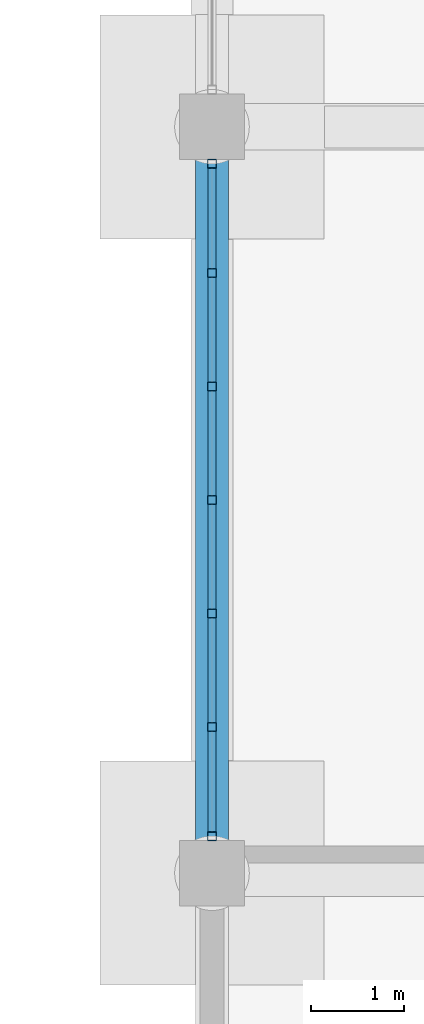
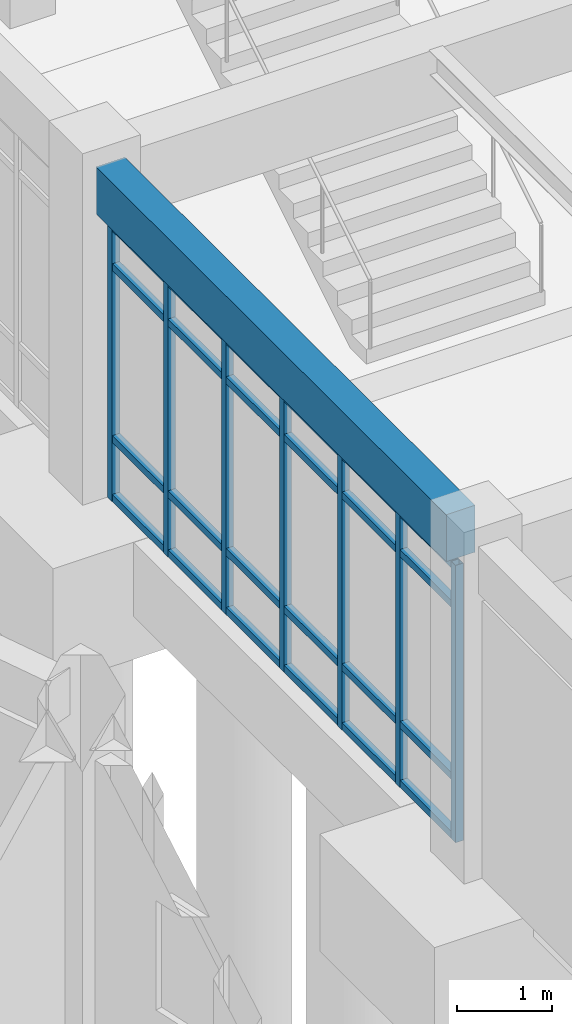
# One storey, part 93 of 153: 31 members, 1 beam, 1 element without a shape of its own.
"""IFC4 building model written with IfcOpenShell, lengths in metres."""

from ifc_helpers import new_model, si_unit, direction, frame, origin, origin_2d, place, context, subcontext, project, spatial, rectangle, hollow_rectangle, extrude, material, material_profile, profile_set, type_object, element, aggregate, save


model = new_model("IFC4")

# Units and contexts
model_context = context("Model", 3, precision=1e-05, world=origin(), true_north=direction((0.0, 1.0)))
body_context = subcontext(model_context, "Body", "Model", "MODEL_VIEW")
ifc_project = project(units=[si_unit("LENGTHUNIT", "METRE"), si_unit("AREAUNIT", "SQUARE_METRE"), si_unit("VOLUMEUNIT", "CUBIC_METRE"), si_unit("PLANEANGLEUNIT", "RADIAN"), si_unit("MASSUNIT", "GRAM", prefix="KILO")], contexts=[model_context])

# Site, building, storey
site_placement = place(None, origin())
site = spatial("IfcSite", under=ifc_project, at=site_placement, CompositionType="ELEMENT")
building_placement = place(site_placement, origin())
building = spatial("IfcBuilding", under=site, at=building_placement, Name="Celadon Cloister-Ring School", CompositionType="ELEMENT")
storey_placement = place(building_placement, origin())
storey = spatial("IfcBuildingStorey", under=building, at=storey_placement, Name="L00", CompositionType="ELEMENT", Elevation=0.0)

# Beam
ifc_material_1 = material(Name="Concrete C35/45", Category="concrete")
ifc_material_profile_1 = material_profile(ifc_material_1, rectangle(XDim=0.35009765625, YDim=0.60009765625, at=origin_2d()), Name="RC350X600")
ifc_profile_set_1 = profile_set([ifc_material_profile_1], Name="Concrete C35/45")
beam_type = type_object("IfcBeamType", Name="BT-02", PredefinedType="BEAM", material=ifc_profile_set_1)
beam_placement = place(storey_placement, frame((142.0, 74.324951171875, 3.9599609375), z_axis=(0.0, 1.0, 0.0), x_axis=(-1.0, 0.0, 0.0)))
element("IfcBeam", 1, at=beam_placement, inside=storey, type_object=beam_type, Name="Beam 1132", PredefinedType="BEAM", context=body_context, shape_type="SweptSolid", body=[
    extrude(rectangle(XDim=0.35009765625, YDim=0.60009765625, at=origin_2d()), origin(), (0.0, 0.0, 1.0), 7.35009765625),
])

# Curtain wall, members
ifc_material_2 = material(Name="Aluminium EN AW-6063 T6", Category="aluminium")
curtain_wall_type = type_object("IfcCurtainWallType", Name="CW-07", PredefinedType="USERDEFINED", material=ifc_material_2)
curtain_wall_placement = place(storey_placement, origin())
curtain_wall = element("IfcCurtainWall", 2, at=curtain_wall_placement, inside=storey, type_object=curtain_wall_type, Name="Curtain Wall 0175", ObjectType="CURTAIN WALL", PredefinedType="USERDEFINED")
ifc_material_3 = material(Name="Aluminium EN AW-6063 T6", Category="aluminium")
ifc_material_profile_2 = material_profile(ifc_material_3, hollow_rectangle(XDim=0.094970703125, YDim=0.094970703125, WallThickness=0.00390625, at=origin_2d()), Name="RHS95X95X4")
ifc_profile_set_2 = profile_set([ifc_material_profile_2], Name="Aluminium EN AW-6063 T6")
member_type_1 = type_object("IfcMemberType", Name="CM-02", PredefinedType="MULLION", material=ifc_profile_set_2)
member_1_placement = place(storey_placement, frame((142.0, 74.3974609375, 0.0), z_axis=(0.0, 0.0, 1.0), x_axis=(-1.0, 0.0, 0.0)))
member_1 = element("IfcMember", 3, at=member_1_placement, type_object=member_type_1, Name="CW-07 mullion 1", PredefinedType="MULLION", context=body_context, shape_type="SweptSolid", body=[
    extrude(hollow_rectangle(XDim=0.094970703125, YDim=0.094970703125, WallThickness=0.00390625, at=origin_2d()), origin(), (0.0, 0.0, 1.0), 3.550048828125),
])
member_2_placement = place(storey_placement, frame((142.0, 75.566650390625, 0.0), z_axis=(0.0, 0.0, 1.0), x_axis=(-1.0, 0.0, 0.0)))
member_2 = element("IfcMember", 4, at=member_2_placement, type_object=member_type_1, Name="CW-07 mullion 2", PredefinedType="MULLION", context=body_context, shape_type="SweptSolid", body=[
    extrude(hollow_rectangle(XDim=0.094970703125, YDim=0.094970703125, WallThickness=0.00390625, at=origin_2d()), origin(), (0.0, 0.0, 1.0), 3.550048828125),
])
member_3_placement = place(storey_placement, frame((142.0, 76.783447265625, 0.0), z_axis=(0.0, 0.0, 1.0), x_axis=(-1.0, 0.0, 0.0)))
member_3 = element("IfcMember", 5, at=member_3_placement, type_object=member_type_1, Name="CW-07 mullion 3", PredefinedType="MULLION", context=body_context, shape_type="SweptSolid", body=[
    extrude(hollow_rectangle(XDim=0.094970703125, YDim=0.094970703125, WallThickness=0.00390625, at=origin_2d()), origin(), (0.0, 0.0, 1.0), 3.550048828125),
])
member_4_placement = place(storey_placement, frame((142.0, 78.0, 0.0), z_axis=(0.0, 0.0, 1.0), x_axis=(-1.0, 0.0, 0.0)))
member_4 = element("IfcMember", 6, at=member_4_placement, type_object=member_type_1, Name="CW-07 mullion 4", PredefinedType="MULLION", context=body_context, shape_type="SweptSolid", body=[
    extrude(hollow_rectangle(XDim=0.094970703125, YDim=0.094970703125, WallThickness=0.00390625, at=origin_2d()), origin(), (0.0, 0.0, 1.0), 3.550048828125),
])
member_5_placement = place(storey_placement, frame((142.0, 79.216552734375, 0.0), z_axis=(0.0, 0.0, 1.0), x_axis=(-1.0, 0.0, 0.0)))
member_5 = element("IfcMember", 7, at=member_5_placement, type_object=member_type_1, Name="CW-07 mullion 5", PredefinedType="MULLION", context=body_context, shape_type="SweptSolid", body=[
    extrude(hollow_rectangle(XDim=0.094970703125, YDim=0.094970703125, WallThickness=0.00390625, at=origin_2d()), origin(), (0.0, 0.0, 1.0), 3.550048828125),
])
member_6_placement = place(storey_placement, frame((142.0, 80.433349609375, 0.0), z_axis=(0.0, 0.0, 1.0), x_axis=(-1.0, 0.0, 0.0)))
member_6 = element("IfcMember", 8, at=member_6_placement, type_object=member_type_1, Name="CW-07 mullion 6", PredefinedType="MULLION", context=body_context, shape_type="SweptSolid", body=[
    extrude(hollow_rectangle(XDim=0.094970703125, YDim=0.094970703125, WallThickness=0.00390625, at=origin_2d()), origin(), (0.0, 0.0, 1.0), 3.550048828125),
])
member_7_placement = place(storey_placement, frame((142.0, 81.6025390625, 0.0), z_axis=(0.0, 0.0, 1.0), x_axis=(-1.0, 0.0, 0.0)))
member_7 = element("IfcMember", 9, at=member_7_placement, type_object=member_type_1, Name="CW-07 mullion 7", PredefinedType="MULLION", context=body_context, shape_type="SweptSolid", body=[
    extrude(hollow_rectangle(XDim=0.094970703125, YDim=0.094970703125, WallThickness=0.00390625, at=origin_2d()), origin(), (0.0, 0.0, 1.0), 3.550048828125),
])
ifc_material_4 = material(Name="Aluminium EN AW-6063 T6", Category="aluminium")
ifc_material_profile_3 = material_profile(ifc_material_4, hollow_rectangle(XDim=0.090087890625, YDim=0.090087890625, WallThickness=0.00390625, at=origin_2d()), Name="RHS90X90X4")
ifc_profile_set_3 = profile_set([ifc_material_profile_3], Name="Aluminium EN AW-6063 T6")
member_type_2 = type_object("IfcMemberType", Name="CTM-02", PredefinedType="USERDEFINED", material=ifc_profile_set_3)
member_8_placement = place(storey_placement, frame((142.0, 74.445068359375, 0.044921875), z_axis=(0.0, 1.0, 0.0), x_axis=(-1.0, 0.0, 0.0)))
member_8 = element("IfcMember", 10, at=member_8_placement, type_object=member_type_2, Name="CW-07 transom 1.1", ObjectType="TRANSOM", PredefinedType="USERDEFINED", context=body_context, shape_type="SweptSolid", body=[
    extrude(hollow_rectangle(XDim=0.090087890625, YDim=0.090087890625, WallThickness=0.00390625, at=origin_2d()), origin(), (0.0, 0.0, 1.0), 1.07421875),
])
member_9_placement = place(storey_placement, frame((142.0, 74.445068359375, 0.800048828125), z_axis=(0.0, 1.0, 0.0), x_axis=(-1.0, 0.0, 0.0)))
member_9 = element("IfcMember", 11, at=member_9_placement, type_object=member_type_2, Name="CW-07 transom 1.2", ObjectType="TRANSOM", PredefinedType="USERDEFINED", context=body_context, shape_type="SweptSolid", body=[
    extrude(hollow_rectangle(XDim=0.090087890625, YDim=0.090087890625, WallThickness=0.00390625, at=origin_2d()), origin(), (0.0, 0.0, 1.0), 1.07421875),
])
member_10_placement = place(storey_placement, frame((142.0, 74.445068359375, 3.0), z_axis=(0.0, 1.0, 0.0), x_axis=(-1.0, 0.0, 0.0)))
member_10 = element("IfcMember", 12, at=member_10_placement, type_object=member_type_2, Name="CW-07 transom 1.3", ObjectType="TRANSOM", PredefinedType="USERDEFINED", context=body_context, shape_type="SweptSolid", body=[
    extrude(hollow_rectangle(XDim=0.090087890625, YDim=0.090087890625, WallThickness=0.00390625, at=origin_2d()), origin(), (0.0, 0.0, 1.0), 1.07421875),
])
member_11_placement = place(storey_placement, frame((142.0, 74.445068359375, 3.5048828125), z_axis=(0.0, 1.0, 0.0), x_axis=(-1.0, 0.0, 0.0)))
member_11 = element("IfcMember", 13, at=member_11_placement, type_object=member_type_2, Name="CW-07 transom 1.4", ObjectType="TRANSOM", PredefinedType="USERDEFINED", context=body_context, shape_type="SweptSolid", body=[
    extrude(hollow_rectangle(XDim=0.090087890625, YDim=0.090087890625, WallThickness=0.00390625, at=origin_2d()), origin(), (0.0, 0.0, 1.0), 1.07421875),
])
member_12_placement = place(storey_placement, frame((142.0, 75.6142578125, 0.044921875), z_axis=(0.0, 1.0, 0.0), x_axis=(-1.0, 0.0, 0.0)))
member_12 = element("IfcMember", 14, at=member_12_placement, type_object=member_type_2, Name="CW-07 transom 2.1", ObjectType="TRANSOM", PredefinedType="USERDEFINED", context=body_context, shape_type="SweptSolid", body=[
    extrude(hollow_rectangle(XDim=0.090087890625, YDim=0.090087890625, WallThickness=0.00390625, at=origin_2d()), origin(), (0.0, 0.0, 1.0), 1.12158203125),
])
member_13_placement = place(storey_placement, frame((142.0, 75.6142578125, 0.800048828125), z_axis=(0.0, 1.0, 0.0), x_axis=(-1.0, 0.0, 0.0)))
member_13 = element("IfcMember", 15, at=member_13_placement, type_object=member_type_2, Name="CW-07 transom 2.2", ObjectType="TRANSOM", PredefinedType="USERDEFINED", context=body_context, shape_type="SweptSolid", body=[
    extrude(hollow_rectangle(XDim=0.090087890625, YDim=0.090087890625, WallThickness=0.00390625, at=origin_2d()), origin(), (0.0, 0.0, 1.0), 1.12158203125),
])
member_14_placement = place(storey_placement, frame((142.0, 75.6142578125, 3.0), z_axis=(0.0, 1.0, 0.0), x_axis=(-1.0, 0.0, 0.0)))
member_14 = element("IfcMember", 16, at=member_14_placement, type_object=member_type_2, Name="CW-07 transom 2.3", ObjectType="TRANSOM", PredefinedType="USERDEFINED", context=body_context, shape_type="SweptSolid", body=[
    extrude(hollow_rectangle(XDim=0.090087890625, YDim=0.090087890625, WallThickness=0.00390625, at=origin_2d()), origin(), (0.0, 0.0, 1.0), 1.12158203125),
])
member_15_placement = place(storey_placement, frame((142.0, 75.6142578125, 3.5048828125), z_axis=(0.0, 1.0, 0.0), x_axis=(-1.0, 0.0, 0.0)))
member_15 = element("IfcMember", 17, at=member_15_placement, type_object=member_type_2, Name="CW-07 transom 2.4", ObjectType="TRANSOM", PredefinedType="USERDEFINED", context=body_context, shape_type="SweptSolid", body=[
    extrude(hollow_rectangle(XDim=0.090087890625, YDim=0.090087890625, WallThickness=0.00390625, at=origin_2d()), origin(), (0.0, 0.0, 1.0), 1.12158203125),
])
member_16_placement = place(storey_placement, frame((142.0, 76.830810546875, 0.044921875), z_axis=(0.0, 1.0, 0.0), x_axis=(-1.0, 0.0, 0.0)))
member_16 = element("IfcMember", 18, at=member_16_placement, type_object=member_type_2, Name="CW-07 transom 3.1", ObjectType="TRANSOM", PredefinedType="USERDEFINED", context=body_context, shape_type="SweptSolid", body=[
    extrude(hollow_rectangle(XDim=0.090087890625, YDim=0.090087890625, WallThickness=0.00390625, at=origin_2d()), origin(), (0.0, 0.0, 1.0), 1.12158203125),
])
member_17_placement = place(storey_placement, frame((142.0, 76.830810546875, 0.800048828125), z_axis=(0.0, 1.0, 0.0), x_axis=(-1.0, 0.0, 0.0)))
member_17 = element("IfcMember", 19, at=member_17_placement, type_object=member_type_2, Name="CW-07 transom 3.2", ObjectType="TRANSOM", PredefinedType="USERDEFINED", context=body_context, shape_type="SweptSolid", body=[
    extrude(hollow_rectangle(XDim=0.090087890625, YDim=0.090087890625, WallThickness=0.00390625, at=origin_2d()), origin(), (0.0, 0.0, 1.0), 1.12158203125),
])
member_18_placement = place(storey_placement, frame((142.0, 76.830810546875, 3.0), z_axis=(0.0, 1.0, 0.0), x_axis=(-1.0, 0.0, 0.0)))
member_18 = element("IfcMember", 20, at=member_18_placement, type_object=member_type_2, Name="CW-07 transom 3.3", ObjectType="TRANSOM", PredefinedType="USERDEFINED", context=body_context, shape_type="SweptSolid", body=[
    extrude(hollow_rectangle(XDim=0.090087890625, YDim=0.090087890625, WallThickness=0.00390625, at=origin_2d()), origin(), (0.0, 0.0, 1.0), 1.12158203125),
])
member_19_placement = place(storey_placement, frame((142.0, 76.830810546875, 3.5048828125), z_axis=(0.0, 1.0, 0.0), x_axis=(-1.0, 0.0, 0.0)))
member_19 = element("IfcMember", 21, at=member_19_placement, type_object=member_type_2, Name="CW-07 transom 3.4", ObjectType="TRANSOM", PredefinedType="USERDEFINED", context=body_context, shape_type="SweptSolid", body=[
    extrude(hollow_rectangle(XDim=0.090087890625, YDim=0.090087890625, WallThickness=0.00390625, at=origin_2d()), origin(), (0.0, 0.0, 1.0), 1.12158203125),
])
member_20_placement = place(storey_placement, frame((142.0, 78.047607421875, 0.044921875), z_axis=(0.0, 1.0, 0.0), x_axis=(-1.0, 0.0, 0.0)))
member_20 = element("IfcMember", 22, at=member_20_placement, type_object=member_type_2, Name="CW-07 transom 4.1", ObjectType="TRANSOM", PredefinedType="USERDEFINED", context=body_context, shape_type="SweptSolid", body=[
    extrude(hollow_rectangle(XDim=0.090087890625, YDim=0.090087890625, WallThickness=0.00390625, at=origin_2d()), origin(), (0.0, 0.0, 1.0), 1.12158203125),
])
member_21_placement = place(storey_placement, frame((142.0, 78.047607421875, 0.800048828125), z_axis=(0.0, 1.0, 0.0), x_axis=(-1.0, 0.0, 0.0)))
member_21 = element("IfcMember", 23, at=member_21_placement, type_object=member_type_2, Name="CW-07 transom 4.2", ObjectType="TRANSOM", PredefinedType="USERDEFINED", context=body_context, shape_type="SweptSolid", body=[
    extrude(hollow_rectangle(XDim=0.090087890625, YDim=0.090087890625, WallThickness=0.00390625, at=origin_2d()), origin(), (0.0, 0.0, 1.0), 1.12158203125),
])
member_22_placement = place(storey_placement, frame((142.0, 78.047607421875, 3.0), z_axis=(0.0, 1.0, 0.0), x_axis=(-1.0, 0.0, 0.0)))
member_22 = element("IfcMember", 24, at=member_22_placement, type_object=member_type_2, Name="CW-07 transom 4.3", ObjectType="TRANSOM", PredefinedType="USERDEFINED", context=body_context, shape_type="SweptSolid", body=[
    extrude(hollow_rectangle(XDim=0.090087890625, YDim=0.090087890625, WallThickness=0.00390625, at=origin_2d()), origin(), (0.0, 0.0, 1.0), 1.12158203125),
])
member_23_placement = place(storey_placement, frame((142.0, 78.047607421875, 3.5048828125), z_axis=(0.0, 1.0, 0.0), x_axis=(-1.0, 0.0, 0.0)))
member_23 = element("IfcMember", 25, at=member_23_placement, type_object=member_type_2, Name="CW-07 transom 4.4", ObjectType="TRANSOM", PredefinedType="USERDEFINED", context=body_context, shape_type="SweptSolid", body=[
    extrude(hollow_rectangle(XDim=0.090087890625, YDim=0.090087890625, WallThickness=0.00390625, at=origin_2d()), origin(), (0.0, 0.0, 1.0), 1.12158203125),
])
member_24_placement = place(storey_placement, frame((142.0, 79.26416015625, 0.044921875), z_axis=(0.0, 1.0, 0.0), x_axis=(-1.0, 0.0, 0.0)))
member_24 = element("IfcMember", 26, at=member_24_placement, type_object=member_type_2, Name="CW-07 transom 5.1", ObjectType="TRANSOM", PredefinedType="USERDEFINED", context=body_context, shape_type="SweptSolid", body=[
    extrude(hollow_rectangle(XDim=0.090087890625, YDim=0.090087890625, WallThickness=0.00390625, at=origin_2d()), origin(), (0.0, 0.0, 1.0), 1.12158203125),
])
member_25_placement = place(storey_placement, frame((142.0, 79.26416015625, 0.800048828125), z_axis=(0.0, 1.0, 0.0), x_axis=(-1.0, 0.0, 0.0)))
member_25 = element("IfcMember", 27, at=member_25_placement, type_object=member_type_2, Name="CW-07 transom 5.2", ObjectType="TRANSOM", PredefinedType="USERDEFINED", context=body_context, shape_type="SweptSolid", body=[
    extrude(hollow_rectangle(XDim=0.090087890625, YDim=0.090087890625, WallThickness=0.00390625, at=origin_2d()), origin(), (0.0, 0.0, 1.0), 1.12158203125),
])
member_26_placement = place(storey_placement, frame((142.0, 79.26416015625, 3.0), z_axis=(0.0, 1.0, 0.0), x_axis=(-1.0, 0.0, 0.0)))
member_26 = element("IfcMember", 28, at=member_26_placement, type_object=member_type_2, Name="CW-07 transom 5.3", ObjectType="TRANSOM", PredefinedType="USERDEFINED", context=body_context, shape_type="SweptSolid", body=[
    extrude(hollow_rectangle(XDim=0.090087890625, YDim=0.090087890625, WallThickness=0.00390625, at=origin_2d()), origin(), (0.0, 0.0, 1.0), 1.12158203125),
])
member_27_placement = place(storey_placement, frame((142.0, 79.26416015625, 3.5048828125), z_axis=(0.0, 1.0, 0.0), x_axis=(-1.0, 0.0, 0.0)))
member_27 = element("IfcMember", 29, at=member_27_placement, type_object=member_type_2, Name="CW-07 transom 5.4", ObjectType="TRANSOM", PredefinedType="USERDEFINED", context=body_context, shape_type="SweptSolid", body=[
    extrude(hollow_rectangle(XDim=0.090087890625, YDim=0.090087890625, WallThickness=0.00390625, at=origin_2d()), origin(), (0.0, 0.0, 1.0), 1.12158203125),
])
member_28_placement = place(storey_placement, frame((142.0, 80.480712890625, 0.044921875), z_axis=(0.0, 1.0, 0.0), x_axis=(-1.0, 0.0, 0.0)))
member_28 = element("IfcMember", 30, at=member_28_placement, type_object=member_type_2, Name="CW-07 transom 6.1", ObjectType="TRANSOM", PredefinedType="USERDEFINED", context=body_context, shape_type="SweptSolid", body=[
    extrude(hollow_rectangle(XDim=0.090087890625, YDim=0.090087890625, WallThickness=0.00390625, at=origin_2d()), origin(), (0.0, 0.0, 1.0), 1.07421875),
])
member_29_placement = place(storey_placement, frame((142.0, 80.480712890625, 0.800048828125), z_axis=(0.0, 1.0, 0.0), x_axis=(-1.0, 0.0, 0.0)))
member_29 = element("IfcMember", 31, at=member_29_placement, type_object=member_type_2, Name="CW-07 transom 6.2", ObjectType="TRANSOM", PredefinedType="USERDEFINED", context=body_context, shape_type="SweptSolid", body=[
    extrude(hollow_rectangle(XDim=0.090087890625, YDim=0.090087890625, WallThickness=0.00390625, at=origin_2d()), origin(), (0.0, 0.0, 1.0), 1.07421875),
])
member_30_placement = place(storey_placement, frame((142.0, 80.480712890625, 3.0), z_axis=(0.0, 1.0, 0.0), x_axis=(-1.0, 0.0, 0.0)))
member_30 = element("IfcMember", 32, at=member_30_placement, type_object=member_type_2, Name="CW-07 transom 6.3", ObjectType="TRANSOM", PredefinedType="USERDEFINED", context=body_context, shape_type="SweptSolid", body=[
    extrude(hollow_rectangle(XDim=0.090087890625, YDim=0.090087890625, WallThickness=0.00390625, at=origin_2d()), origin(), (0.0, 0.0, 1.0), 1.07421875),
])
member_31_placement = place(storey_placement, frame((142.0, 80.480712890625, 3.5048828125), z_axis=(0.0, 1.0, 0.0), x_axis=(-1.0, 0.0, 0.0)))
member_31 = element("IfcMember", 33, at=member_31_placement, type_object=member_type_2, Name="CW-07 transom 6.4", ObjectType="TRANSOM", PredefinedType="USERDEFINED", context=body_context, shape_type="SweptSolid", body=[
    extrude(hollow_rectangle(XDim=0.090087890625, YDim=0.090087890625, WallThickness=0.00390625, at=origin_2d()), origin(), (0.0, 0.0, 1.0), 1.07421875),
])
aggregate(curtain_wall, [member_1, member_2, member_3, member_4, member_5, member_6, member_7, member_8, member_9, member_10, member_11, member_12, member_13, member_14, member_15, member_16, member_17, member_18, member_19, member_20, member_21, member_22, member_23, member_24, member_25, member_26, member_27, member_28, member_29, member_30, member_31])

save(model, "model.ifc")
